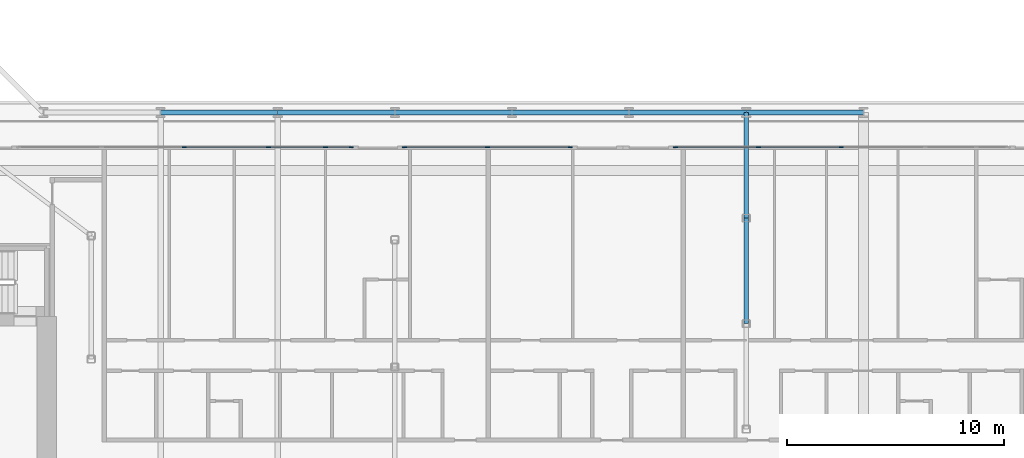
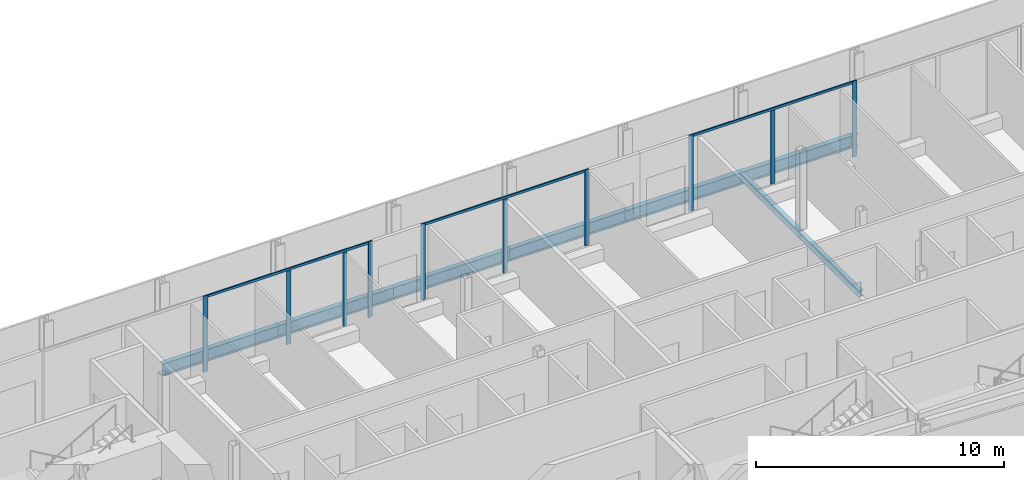
# One storey, part 6 of 28: 13 members, 8 beams, 4 elements without a shape of their own.
"""IFC4 building model written with IfcOpenShell, lengths in metres."""

from ifc_helpers import new_model, si_unit, direction, frame, origin, origin_2d, place, context, subcontext, project, spatial, rectangle, i_section, extrude, material, layer, layer_set, material_profile, profile_set, type_object, element, aggregate, save


model = new_model("IFC4")

# Units and contexts
model_context = context("Model", 3, precision=1e-05, world=origin(), true_north=direction((0.0, 1.0)))
body_context = subcontext(model_context, "Body", "Model", "MODEL_VIEW")
ifc_project = project(units=[si_unit("LENGTHUNIT", "METRE"), si_unit("AREAUNIT", "SQUARE_METRE"), si_unit("VOLUMEUNIT", "CUBIC_METRE"), si_unit("PLANEANGLEUNIT", "RADIAN"), si_unit("MASSUNIT", "GRAM", prefix="KILO")], contexts=[model_context])

# Site, building, storey
site_placement = place(None, origin())
site = spatial("IfcSite", under=ifc_project, at=site_placement, CompositionType="ELEMENT")
building_placement = place(site_placement, origin())
building = spatial("IfcBuilding", under=site, at=building_placement, Name="Kheshtan School and Residences Tower", CompositionType="ELEMENT")
storey_placement = place(building_placement, frame((0.0, 0.0, 140.89990234375)))
storey = spatial("IfcBuildingStorey", under=building, at=storey_placement, Name="L33", CompositionType="ELEMENT", Elevation=140.89990234375)

# Beams
ifc_material_1 = material(Name="Steel ASTM A992 Grade 50", Category="steel")
ifc_material_profile_1 = material_profile(ifc_material_1, i_section(OverallWidth=0.202880859375, OverallDepth=0.302978515625, WebThickness=0.007568359375, FlangeThickness=0.01318359375, FilletRadius=0.009033203125, at=origin_2d()), Name="W310x60")
ifc_profile_set_1 = profile_set([ifc_material_profile_1], Name="Steel ASTM A992 Grade 50")
beam_type_1 = type_object("IfcBeamType", Name="Beam FB1 W310x60 ASTM A992 Grade 50", PredefinedType="BEAM", material=ifc_profile_set_1)
for number, where, z_axis, x_axis, name in (
    (1, (85.39990234375, 45.60009765625, -0.301513671875), (0.0, -1.0, 0.0), (1.0, 0.0, 0.0), "Floor beam C067"),
    (2, (85.39990234375, 40.735107421875, -0.301513671875), (0.0, -1.0, 0.0), (1.0, 0.0, 0.0), "Floor beam IC"),
):
    element("IfcBeam", number, at=place(storey_placement, frame(where, z_axis=z_axis, x_axis=x_axis)), inside=storey, type_object=beam_type_1, Name=name, PredefinedType="BEAM", context=body_context, shape_type="SweptSolid", body=[
        extrude(i_section(OverallWidth=0.202880859375, OverallDepth=0.302978515625, WebThickness=0.007568359375, FlangeThickness=0.01318359375, FilletRadius=0.009033203125, at=origin_2d()), origin(), (0.0, 0.0, 1.0), 4.864990234375),
    ])
ifc_material_profile_2 = material_profile(ifc_material_1, i_section(OverallWidth=0.22802734375, OverallDepth=0.60302734375, WebThickness=0.010498046875, FlangeThickness=0.014892578125, FilletRadius=0.013427734375, at=origin_2d()), Name="W610x101")
ifc_profile_set_2 = profile_set([ifc_material_profile_2], Name="Steel ASTM A992 Grade 50")
beam_type_2 = type_object("IfcBeamType", Name="Beam SP2 W610x101 ASTM A992 Grade 50", PredefinedType="BEAM", material=ifc_profile_set_2)
beam_1_placement = place(storey_placement, frame((58.39990234375, 45.60009765625, -0.451416015625), z_axis=(1.0, 0.0, 0.0), x_axis=(0.0, 1.0, 0.0)))
element("IfcBeam", 3, at=beam_1_placement, inside=storey, type_object=beam_type_2, Name="Spandrel beam C062-C063", PredefinedType="BEAM", context=body_context, shape_type="SweptSolid", body=[
    extrude(i_section(OverallWidth=0.22802734375, OverallDepth=0.60302734375, WebThickness=0.010498046875, FlangeThickness=0.014892578125, FilletRadius=0.013427734375, at=origin_2d()), origin(), (0.0, 0.0, 1.0), 5.400146484375),
])
beam_2_placement = place(storey_placement, frame((63.800048828125, 45.60009765625, -0.451416015625), z_axis=(1.0, 0.0, 0.0), x_axis=(0.0, 1.0, 0.0)))
element("IfcBeam", 4, at=beam_2_placement, inside=storey, type_object=beam_type_2, Name="Spandrel beam C063-C064", PredefinedType="BEAM", context=body_context, shape_type="SweptSolid", body=[
    extrude(i_section(OverallWidth=0.22802734375, OverallDepth=0.60302734375, WebThickness=0.010498046875, FlangeThickness=0.014892578125, FilletRadius=0.013427734375, at=origin_2d()), origin(), (0.0, 0.0, 1.0), 5.39990234375),
])
beam_3_placement = place(storey_placement, frame((69.199951171875, 45.60009765625, -0.451416015625), z_axis=(1.0, 0.0, 0.0), x_axis=(0.0, 1.0, 0.0)))
element("IfcBeam", 5, at=beam_3_placement, inside=storey, type_object=beam_type_2, Name="Spandrel beam C064-C065", PredefinedType="BEAM", context=body_context, shape_type="SweptSolid", body=[
    extrude(i_section(OverallWidth=0.22802734375, OverallDepth=0.60302734375, WebThickness=0.010498046875, FlangeThickness=0.014892578125, FilletRadius=0.013427734375, at=origin_2d()), origin(), (0.0, 0.0, 1.0), 5.400146484375),
])
for number, where, z_axis, x_axis, name in (
    (6, (74.60009765625, 45.60009765625, -0.451416015625), (1.0, 0.0, 0.0), (0.0, 1.0, 0.0), "Spandrel beam C065-C066"),
    (7, (80.0, 45.60009765625, -0.451416015625), (1.0, 0.0, 0.0), (0.0, 1.0, 0.0), "Spandrel beam C066-C067"),
):
    element("IfcBeam", number, at=place(storey_placement, frame(where, z_axis=z_axis, x_axis=x_axis)), inside=storey, type_object=beam_type_2, Name=name, PredefinedType="BEAM", context=body_context, shape_type="SweptSolid", body=[
        extrude(i_section(OverallWidth=0.22802734375, OverallDepth=0.60302734375, WebThickness=0.010498046875, FlangeThickness=0.014892578125, FilletRadius=0.013427734375, at=origin_2d()), origin(), (0.0, 0.0, 1.0), 5.39990234375),
    ])
beam_4_placement = place(storey_placement, frame((85.39990234375, 45.60009765625, -0.451416015625), z_axis=(1.0, 0.0, 0.0), x_axis=(0.0, 1.0, 0.0)))
element("IfcBeam", 8, at=beam_4_placement, inside=storey, type_object=beam_type_2, Name="Spandrel beam C067-C068", PredefinedType="BEAM", context=body_context, shape_type="SweptSolid", body=[
    extrude(i_section(OverallWidth=0.22802734375, OverallDepth=0.60302734375, WebThickness=0.010498046875, FlangeThickness=0.014892578125, FilletRadius=0.013427734375, at=origin_2d()), origin(), (0.0, 0.0, 1.0), 5.400146484375),
])

# Curtain wall, member
ifc_material_2 = material(Name="Clear low-e glass in thermally broken aluminium frame", Category="aluminium")
ifc_layer = layer(ifc_material_2, 0.199951171875)
ifc_layer_set = layer_set([ifc_layer], Name="Curtain wall CW-L")
curtain_wall_type = type_object("IfcCurtainWallType", Name="Curtain wall CW-L", PredefinedType="NOTDEFINED", material=ifc_layer_set)
curtain_wall_1_placement = place(storey_placement, origin())
curtain_wall_1 = element("IfcCurtainWall", 9, at=curtain_wall_1_placement, inside=storey, type_object=curtain_wall_type, Name="Curtain wall CWL12j", PredefinedType="NOTDEFINED")
ifc_material_3 = material(Name="Thermally broken aluminium, dark bronze anodised", Category="aluminium")
ifc_material_profile_3 = material_profile(ifc_material_3, rectangle(XDim=0.06005859375, YDim=0.199951171875, at=origin_2d()), Name="CW-L mullion 60x200")
ifc_profile_set_3 = profile_set([ifc_material_profile_3], Name="Thermally broken aluminium, dark bronze anodised")
member_type_1 = type_object("IfcMemberType", Name="CW-L mullion 60x200", PredefinedType="MULLION", material=ifc_profile_set_3)
member_1_placement = place(storey_placement, frame((59.493896484375, 44.0, 0.0), z_axis=(0.0, 0.0, 1.0), x_axis=(0.0, 1.0, 0.0)))
member_1 = element("IfcMember", 10, at=member_1_placement, type_object=member_type_1, Name="CWL12j mullion 3", PredefinedType="MULLION", context=body_context, shape_type="SweptSolid", body=[
    extrude(rectangle(XDim=0.06005859375, YDim=0.199951171875, at=origin_2d()), origin(), (0.0, 0.0, 1.0), 3.75),
])
aggregate(curtain_wall_1, [member_1])

# Curtain wall, members
curtain_wall_2_placement = place(storey_placement, origin())
curtain_wall_2 = element("IfcCurtainWall", 11, at=curtain_wall_2_placement, inside=storey, type_object=curtain_wall_type, Name="Curtain wall CWL12k", PredefinedType="NOTDEFINED")
member_2_placement = place(storey_placement, frame((63.37109375, 44.0, 0.0), z_axis=(0.0, 0.0, 1.0), x_axis=(0.0, 1.0, 0.0)))
member_2 = element("IfcMember", 12, at=member_2_placement, type_object=member_type_1, Name="CWL12k mullion 2", PredefinedType="MULLION", context=body_context, shape_type="SweptSolid", body=[
    extrude(rectangle(XDim=0.06005859375, YDim=0.199951171875, at=origin_2d()), origin(), (0.0, 0.0, 1.0), 3.630126953125),
])
member_3_placement = place(storey_placement, frame((66.0, 44.0, 0.0), z_axis=(0.0, 0.0, 1.0), x_axis=(0.0, 1.0, 0.0)))
member_3 = element("IfcMember", 13, at=member_3_placement, type_object=member_type_1, Name="CWL12k mullion 3", PredefinedType="MULLION", context=body_context, shape_type="SweptSolid", body=[
    extrude(rectangle(XDim=0.06005859375, YDim=0.199951171875, at=origin_2d()), origin(), (0.0, 0.0, 1.0), 3.630126953125),
])
member_4_placement = place(storey_placement, frame((67.18798828125, 44.0, 0.0), z_axis=(0.0, 0.0, 1.0), x_axis=(0.0, 1.0, 0.0)))
member_4 = element("IfcMember", 14, at=member_4_placement, type_object=member_type_1, Name="CWL12k mullion 4", PredefinedType="MULLION", context=body_context, shape_type="SweptSolid", body=[
    extrude(rectangle(XDim=0.06005859375, YDim=0.199951171875, at=origin_2d()), origin(), (0.0, 0.0, 1.0), 3.75),
])

curtain_wall_3_placement = place(storey_placement, origin())
curtain_wall_3 = element("IfcCurtainWall", 15, at=curtain_wall_3_placement, inside=storey, type_object=curtain_wall_type, Name="Curtain wall CWL12j", PredefinedType="NOTDEFINED")
member_5_placement = place(storey_placement, frame((69.64794921875, 44.0, 0.0), z_axis=(0.0, 0.0, 1.0), x_axis=(0.0, 1.0, 0.0)))
member_5 = element("IfcMember", 16, at=member_5_placement, type_object=member_type_1, Name="CWL12j mullion 1", PredefinedType="MULLION", context=body_context, shape_type="SweptSolid", body=[
    extrude(rectangle(XDim=0.06005859375, YDim=0.199951171875, at=origin_2d()), origin(), (0.0, 0.0, 1.0), 3.75),
])
member_6_placement = place(storey_placement, frame((73.465087890625, 44.0, 0.0), z_axis=(0.0, 0.0, 1.0), x_axis=(0.0, 1.0, 0.0)))
member_6 = element("IfcMember", 17, at=member_6_placement, type_object=member_type_1, Name="CWL12j mullion 2", PredefinedType="MULLION", context=body_context, shape_type="SweptSolid", body=[
    extrude(rectangle(XDim=0.06005859375, YDim=0.199951171875, at=origin_2d()), origin(), (0.0, 0.0, 1.0), 3.630126953125),
])
member_7_placement = place(storey_placement, frame((77.281982421875, 44.0, 0.0), z_axis=(0.0, 0.0, 1.0), x_axis=(0.0, 1.0, 0.0)))
member_7 = element("IfcMember", 18, at=member_7_placement, type_object=member_type_1, Name="CWL12j mullion 3", PredefinedType="MULLION", context=body_context, shape_type="SweptSolid", body=[
    extrude(rectangle(XDim=0.06005859375, YDim=0.199951171875, at=origin_2d()), origin(), (0.0, 0.0, 1.0), 3.75),
])

curtain_wall_4_placement = place(storey_placement, origin())
curtain_wall_4 = element("IfcCurtainWall", 19, at=curtain_wall_4_placement, inside=storey, type_object=curtain_wall_type, Name="Curtain wall CWL12j", PredefinedType="NOTDEFINED")
member_8_placement = place(storey_placement, frame((82.14208984375, 44.0, 0.0), z_axis=(0.0, 0.0, 1.0), x_axis=(0.0, 1.0, 0.0)))
member_8 = element("IfcMember", 20, at=member_8_placement, type_object=member_type_1, Name="CWL12j mullion 1", PredefinedType="MULLION", context=body_context, shape_type="SweptSolid", body=[
    extrude(rectangle(XDim=0.06005859375, YDim=0.199951171875, at=origin_2d()), origin(), (0.0, 0.0, 1.0), 3.75),
])
member_9_placement = place(storey_placement, frame((85.958984375, 44.0, 0.0), z_axis=(0.0, 0.0, 1.0), x_axis=(0.0, 1.0, 0.0)))
member_9 = element("IfcMember", 21, at=member_9_placement, type_object=member_type_1, Name="CWL12j mullion 2", PredefinedType="MULLION", context=body_context, shape_type="SweptSolid", body=[
    extrude(rectangle(XDim=0.06005859375, YDim=0.199951171875, at=origin_2d()), origin(), (0.0, 0.0, 1.0), 3.630126953125),
])
member_10_placement = place(storey_placement, frame((89.77587890625, 44.0, 0.0), z_axis=(0.0, 0.0, 1.0), x_axis=(0.0, 1.0, 0.0)))
member_10 = element("IfcMember", 22, at=member_10_placement, type_object=member_type_1, Name="CWL12j mullion 3", PredefinedType="MULLION", context=body_context, shape_type="SweptSolid", body=[
    extrude(rectangle(XDim=0.06005859375, YDim=0.199951171875, at=origin_2d()), origin(), (0.0, 0.0, 1.0), 3.75),
])

# Member
ifc_material_profile_4 = material_profile(ifc_material_3, rectangle(XDim=0.06005859375, YDim=0.1201171875, at=origin_2d()), Name="CW-L transom 60x120")
ifc_profile_set_4 = profile_set([ifc_material_profile_4], Name="Thermally broken aluminium, dark bronze anodised")
member_type_2 = type_object("IfcMemberType", Name="CW-L transom 60x120", PredefinedType="USERDEFINED", material=ifc_profile_set_4)
member_11_placement = place(storey_placement, frame((59.52392578125, 44.0, 3.690185546875), z_axis=(1.0, 0.0, 0.0), x_axis=(0.0, 1.0, 0.0)))
member_11 = element("IfcMember", 23, at=member_11_placement, type_object=member_type_2, Name="CWL12k transom 1", ObjectType="TRANSOM", PredefinedType="USERDEFINED", context=body_context, shape_type="SweptSolid", body=[
    extrude(rectangle(XDim=0.06005859375, YDim=0.1201171875, at=origin_2d()), origin(), (0.0, 0.0, 1.0), 7.634033203125),
])

aggregate(curtain_wall_2, [member_2, member_3, member_4, member_11])

member_12_placement = place(storey_placement, frame((69.677978515625, 44.0, 3.690185546875), z_axis=(1.0, 0.0, 0.0), x_axis=(0.0, 1.0, 0.0)))
member_12 = element("IfcMember", 24, at=member_12_placement, type_object=member_type_2, Name="CWL12j transom 1", ObjectType="TRANSOM", PredefinedType="USERDEFINED", context=body_context, shape_type="SweptSolid", body=[
    extrude(rectangle(XDim=0.06005859375, YDim=0.1201171875, at=origin_2d()), origin(), (0.0, 0.0, 1.0), 7.573974609375),
])

aggregate(curtain_wall_3, [member_5, member_6, member_7, member_12])

member_13_placement = place(storey_placement, frame((82.172119140625, 44.0, 3.690185546875), z_axis=(1.0, 0.0, 0.0), x_axis=(0.0, 1.0, 0.0)))
member_13 = element("IfcMember", 25, at=member_13_placement, type_object=member_type_2, Name="CWL12j transom 1", ObjectType="TRANSOM", PredefinedType="USERDEFINED", context=body_context, shape_type="SweptSolid", body=[
    extrude(rectangle(XDim=0.06005859375, YDim=0.1201171875, at=origin_2d()), origin(), (0.0, 0.0, 1.0), 7.573974609375),
])

aggregate(curtain_wall_4, [member_8, member_9, member_10, member_13])

save(model, "model.ifc")
